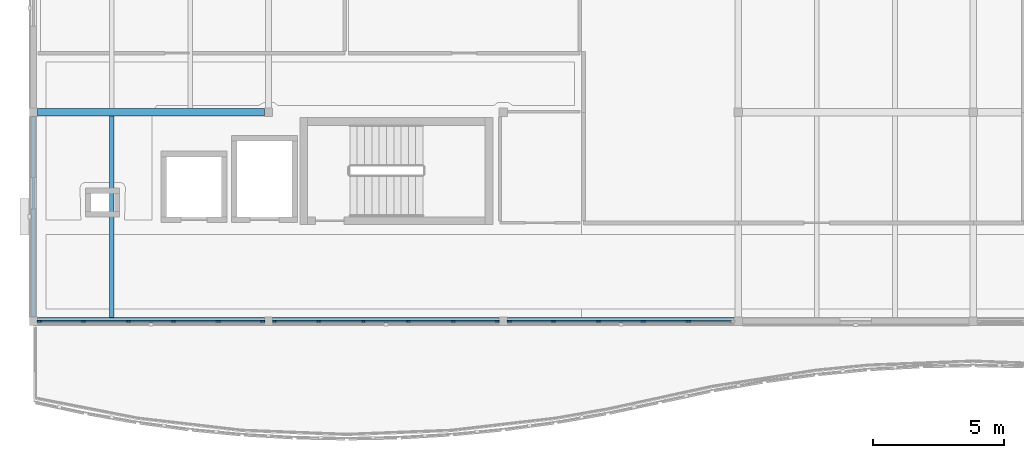
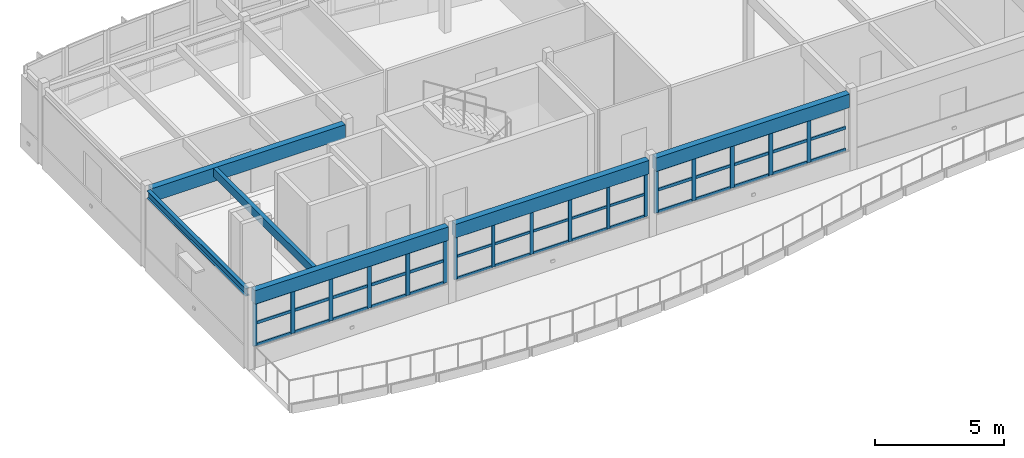
# One storey, part 2 of 33: 61 members, 6 beams, 3 elements without a shape of their own.
"""IFC4 building model written with IfcOpenShell, lengths in metres."""

import ifcopenshell
import ifcopenshell.guid

model = None  # the IFC model being written
_history = None  # IfcOwnerHistory: only IFC2X3 demands one
_inside = {}  # id of a spatial element -> (the spatial element, [elements in it])
_under = {}  # id of a project, library or spatial element -> (it, [spatial elements below it])
_declared = {}  # id of a project -> (the project, [libraries it declares])
_typed = {}  # id of a type object -> (the type object, [elements of that type])
_made_of = {}  # id of a material, layer set ... -> (it, [elements and type objects made of it])


def new_model(schema):
    """Start an empty IFC model of exactly this schema.

    Asked for "IFC4X3", IfcOpenShell would pick the latest addendum, in which some entities
    have other attributes; the version numbers below select the first issue.
    IFC2X3 requires an IfcOwnerHistory on every rooted entity: one is made here for all.
    """
    global model, _history
    if schema == "IFC4X3":
        model = ifcopenshell.file(schema_version=(4, 3, 0, 0))
    else:
        model = ifcopenshell.file(schema=schema)
    _inside.clear()
    _under.clear()
    _declared.clear()
    _typed.clear()
    _made_of.clear()
    _history = None
    if model.schema == "IFC2X3":
        org = make("IfcOrganization", Name="unknown")
        user = make(
            "IfcPersonAndOrganization",
            ThePerson=make("IfcPerson", FamilyName="unknown"),
            TheOrganization=org,
        )
        app = make(
            "IfcApplication",
            ApplicationDeveloper=org,
            Version="unknown",
            ApplicationFullName="unknown",
            ApplicationIdentifier="unknown",
        )
        _history = make(
            "IfcOwnerHistory",
            OwningUser=user,
            OwningApplication=app,
            ChangeAction="ADDED",
            CreationDate=0,
        )
    return model


def make(cls, **values):
    """One entity of the class cls with the attributes given. An attribute that is None is left unset."""
    return model.create_entity(
        cls, **{name: value for name, value in values.items() if value is not None}
    )


def rooted(cls, **values):
    """An entity with a GlobalId (a new one), such as an element, a storey or a relation."""
    return make(cls, GlobalId=ifcopenshell.guid.new(), OwnerHistory=_history, **values)


def si_unit(unit_type, name, prefix=None):
    """IfcSIUnit, for example si_unit("LENGTHUNIT", "METRE", prefix="MILLI")."""
    return make("IfcSIUnit", UnitType=unit_type, Prefix=prefix, Name=name)


def assignment(units):
    """IfcUnitAssignment: the units of a project."""
    return None if units is None else make("IfcUnitAssignment", Units=units)


def point(xyz):
    """IfcCartesianPoint."""
    return None if xyz is None else make("IfcCartesianPoint", Coordinates=xyz)


def direction(xyz):
    """IfcDirection."""
    return None if xyz is None else make("IfcDirection", DirectionRatios=xyz)


def frame(location, z_axis=None, x_axis=None):
    """IfcAxis2Placement3D, a coordinate frame: its origin and axes. An axis left out is left unset."""
    return make(
        "IfcAxis2Placement3D",
        Location=point(location),
        Axis=direction(z_axis),
        RefDirection=direction(x_axis),
    )


def frame_2d(location, x_axis=None):
    """IfcAxis2Placement2D, a coordinate frame in the plane: its origin and x axis."""
    return make(
        "IfcAxis2Placement2D", Location=point(location), RefDirection=direction(x_axis)
    )


def origin():
    """The frame at (0, 0, 0) with its axes left unset."""
    return frame((0.0, 0.0, 0.0))


def origin_2d():
    """The frame at (0, 0) in the plane with its x axis left unset."""
    return frame_2d((0.0, 0.0))


def place(relative_to, where):
    """IfcLocalPlacement: puts the frame where relative to a parent placement (None: the world)."""
    return make(
        "IfcLocalPlacement", PlacementRelTo=relative_to, RelativePlacement=where
    )


def context(
    kind, dimensions, precision=None, world=None, true_north=None, identifier=None
):
    """IfcGeometricRepresentationContext, for example the 3D "Model" context."""
    return make(
        "IfcGeometricRepresentationContext",
        ContextIdentifier=identifier,
        ContextType=kind,
        CoordinateSpaceDimension=dimensions,
        Precision=precision,
        WorldCoordinateSystem=world,
        TrueNorth=true_north,
    )


def subcontext(parent, identifier, kind, view, scale=None):
    """IfcGeometricRepresentationSubContext, for example "Body" below "Model"."""
    return make(
        "IfcGeometricRepresentationSubContext",
        ContextIdentifier=identifier,
        ContextType=kind,
        ParentContext=parent,
        TargetScale=scale,
        TargetView=view,
    )


def project(units=None, contexts=None):
    """IfcProject with its units and contexts."""
    return rooted(
        "IfcProject",
        Name="project",
        RepresentationContexts=contexts,
        UnitsInContext=assignment(units),
    )


def spatial(cls, under=None, at=None, **own):
    """A site, building, storey or space (cls), placed at a placement, below another one or the project."""
    s = rooted(cls, ObjectPlacement=at, **own)
    if under is not None:
        _under.setdefault(under.id(), (under, []))[1].append(s)
    return s


def profile(cls, at=None, kind="AREA", **sizes):
    """A parametric profile (cls). Its sizes go by their IFC names, for example OverallWidth=200.0."""
    return make(cls, ProfileType=kind, Position=at, **sizes)


def rectangle(**sizes):
    """IfcRectangleProfileDef."""
    return profile("IfcRectangleProfileDef", **sizes)


def i_section(**sizes):
    """IfcIShapeProfileDef."""
    return profile("IfcIShapeProfileDef", **sizes)


def extrude(swept, where, along, depth):
    """IfcExtrudedAreaSolid: the profile swept, set in the frame where, extruded along a direction by depth."""
    return make(
        "IfcExtrudedAreaSolid",
        SweptArea=swept,
        Position=where,
        ExtrudedDirection=direction(along),
        Depth=depth,
    )


def shape(context_of_items, identifier, shape_type, items):
    """IfcShapeRepresentation: the items that make up one representation, for example the "Body"."""
    return make(
        "IfcShapeRepresentation",
        ContextOfItems=context_of_items,
        RepresentationIdentifier=identifier,
        RepresentationType=shape_type,
        Items=items,
    )


def material(Name=None, Category=None):
    """IfcMaterial."""
    return make("IfcMaterial", Name=Name, Category=Category)


def layer(
    of_material, thickness, ventilated=None, Name=None, Category=None, Priority=None
):
    """IfcMaterialLayer: one layer of a wall or slab, of a material (None: an air gap)."""
    return make(
        "IfcMaterialLayer",
        Material=of_material,
        LayerThickness=thickness,
        IsVentilated=ventilated,
        Name=Name,
        Category=Category,
        Priority=Priority,
    )


def layer_set(layers, Name=None):
    """IfcMaterialLayerSet."""
    return make("IfcMaterialLayerSet", MaterialLayers=layers, LayerSetName=Name)


def material_profile(
    of_material, cross_section, Name=None, Category=None, Priority=None
):
    """IfcMaterialProfile: a cross section and its material."""
    return make(
        "IfcMaterialProfile",
        Name=Name,
        Material=of_material,
        Profile=cross_section,
        Priority=Priority,
        Category=Category,
    )


def profile_set(profiles, Name=None, composite=None):
    """IfcMaterialProfileSet."""
    return make(
        "IfcMaterialProfileSet",
        Name=Name,
        MaterialProfiles=profiles,
        CompositeProfile=composite,
    )


def made_of(thing, what):
    """Note that an element or type object is made of a material, layer set ...; save() writes the relation."""
    if what is not None:
        _made_of.setdefault(what.id(), (what, []))[1].append(thing)
    return thing


def type_object(cls, material=None, **own):
    """A type object (cls), such as IfcWallType, which elements share."""
    return made_of(rooted(cls, **own), material)


def element(
    cls,
    number,
    at=None,
    inside=None,
    cuts=None,
    type_object=None,
    material=None,
    context=None,
    identifier="Body",
    shape_type=None,
    held_by="IfcProductDefinitionShape",
    body=None,
    shapes=None,
    **own,
):
    """One element of the class cls, such as IfcWall. Its Tag is "e" and its number.

    at: its placement. inside: the storey or other place that contains it. cuts: it is an
    opening in that element (IfcRelVoidsElement). A single representation is given by context,
    identifier, shape_type and body (its items); several are given by shapes. held_by: the class
    of the entity that holds the representations. save() writes the other relations.
    """
    e = rooted(cls, Tag="e%d" % number, ObjectPlacement=at, **own)
    if body is not None:
        shapes = [shape(context, identifier, shape_type, body)]
    if shapes is not None:
        e.Representation = make(held_by, Representations=shapes)
    if inside is not None:
        _inside.setdefault(inside.id(), (inside, []))[1].append(e)
    if cuts is not None:
        rooted(
            "IfcRelVoidsElement", RelatingBuildingElement=cuts, RelatedOpeningElement=e
        )
    if type_object is not None:
        _typed.setdefault(type_object.id(), (type_object, []))[1].append(e)
    return made_of(e, material)


def aggregate(whole, parts):
    """IfcRelAggregates: a whole, such as a stair, and the parts it consists of."""
    return rooted("IfcRelAggregates", RelatingObject=whole, RelatedObjects=parts)


def save(model, path):
    """Write the relations noted so far, then the file.

    IfcRelAggregates (storeys below a building ...), IfcRelContainedInSpatialStructure (elements
    in a storey), IfcRelDefinesByType, IfcRelAssociatesMaterial and IfcRelDeclares: one each for
    every whole, place, type object, material and project.
    """
    for whole, parts in _under.values():
        aggregate(whole, parts)
    for where, things in _inside.values():
        rooted(
            "IfcRelContainedInSpatialStructure",
            RelatedElements=things,
            RelatingStructure=where,
        )
    for kind, things in _typed.values():
        rooted("IfcRelDefinesByType", RelatedObjects=things, RelatingType=kind)
    for what, things in _made_of.values():
        rooted("IfcRelAssociatesMaterial", RelatedObjects=things, RelatingMaterial=what)
    for by, libraries in _declared.values():
        rooted("IfcRelDeclares", RelatingContext=by, RelatedDefinitions=libraries)
    model.write(path)


model = new_model("IFC4")

# Units and contexts
model_context = context("Model", 3, precision=1e-05, world=origin(), true_north=direction((0.0, 1.0)))
body_context = subcontext(model_context, "Body", "Model", "MODEL_VIEW")
ifc_project = project(units=[si_unit("LENGTHUNIT", "METRE"), si_unit("AREAUNIT", "SQUARE_METRE"), si_unit("VOLUMEUNIT", "CUBIC_METRE"), si_unit("PLANEANGLEUNIT", "RADIAN"), si_unit("MASSUNIT", "GRAM", prefix="KILO")], contexts=[model_context])

# Site, building, storey
site_placement = place(None, origin())
site = spatial("IfcSite", under=ifc_project, at=site_placement, CompositionType="ELEMENT")
building_placement = place(site_placement, origin())
building = spatial("IfcBuilding", under=site, at=building_placement, Name="Tonlespit Floodbar School", CompositionType="ELEMENT")
storey_placement = place(building_placement, frame((0.0, 0.0, 16.199951171875)))
storey = spatial("IfcBuildingStorey", under=building, at=storey_placement, Name="L04", CompositionType="ELEMENT", Elevation=16.199951171875)

# Beams
ifc_material_1 = material(Name="Glulam GL28h", Category="wood")
ifc_material_profile_1 = material_profile(ifc_material_1, rectangle(XDim=0.280029296875, YDim=0.639892578125, at=origin_2d()), Name="GL 280x640")
ifc_profile_set_1 = profile_set([ifc_material_profile_1], Name="Glulam GL28h")
beam_type_1 = type_object("IfcBeamType", Name="Beam_GL_280x640", PredefinedType="BEAM", material=ifc_profile_set_1)
for number, where, z_axis, x_axis, name in (
    (1, (44.159912109375, 104.0, 3.330078125), (1.0, 0.0, 0.0), (0.0, 1.0, 0.0), "L04 girder 1279"),
    (2, (53.159912109375, 104.0, 3.330078125), (1.0, 0.0, 0.0), (0.0, 1.0, 0.0), "L04 girder 1280"),
    (3, (62.159912109375, 104.0, 3.328125), (1.0, 0.0, 0.0), (0.0, 1.0, 0.0), "L04 girder 1281"),
    (4, (44.159912109375, 112.0, 3.330078125), (1.0, 0.0, 0.0), (0.0, 1.0, 0.0), "L04 girder 1291"),
):
    element("IfcBeam", number, at=place(storey_placement, frame(where, z_axis=z_axis, x_axis=x_axis)), inside=storey, type_object=beam_type_1, Name=name, PredefinedType="BEAM", context=body_context, shape_type="SweptSolid", body=[
        extrude(rectangle(XDim=0.280029296875, YDim=0.639892578125, at=origin_2d()), origin(), (0.0, 0.0, 1.0), 8.68017578125),
    ])

# Curtain wall, members
ifc_material_2 = material(Name="Anodised Aluminium", Category="aluminium")
ifc_layer = layer(ifc_material_2, 0.159912109375)
ifc_layer_set = layer_set([ifc_layer], Name="Anodised Aluminium")
curtain_wall_type = type_object("IfcCurtainWallType", Name="CurtainWall_8600x2050", PredefinedType="NOTDEFINED", material=ifc_layer_set)
curtain_wall_1_placement = place(storey_placement, origin())
curtain_wall_1 = element("IfcCurtainWall", 5, at=curtain_wall_1_placement, inside=storey, type_object=curtain_wall_type, Name="L04 unitised curtain wall 0206", PredefinedType="NOTDEFINED")
ifc_material_profile_2 = material_profile(ifc_material_2, rectangle(XDim=0.06494140625, YDim=0.14990234375, at=origin_2d()), Name="ALU M65x150")
ifc_profile_set_2 = profile_set([ifc_material_profile_2], Name="Anodised Aluminium")
member_type_1 = type_object("IfcMemberType", Name="CW_Mullion_65x150", PredefinedType="MULLION", material=ifc_profile_set_2)
member_1_placement = place(storey_placement, frame((61.767578125, 104.0, 0.949951171875), z_axis=(0.0, 0.0, 1.0), x_axis=(0.0, -1.0, 0.0)))
member_1 = element("IfcMember", 6, at=member_1_placement, type_object=member_type_1, Name="CW-08 mullion 1", PredefinedType="MULLION", context=body_context, shape_type="SweptSolid", body=[
    extrude(rectangle(XDim=0.06494140625, YDim=0.14990234375, at=origin_2d()), origin(), (0.0, 0.0, 1.0), 2.06005859375),
])
member_2_placement = place(storey_placement, frame((60.080078125, 104.0, 0.949951171875), z_axis=(0.0, 0.0, 1.0), x_axis=(0.0, -1.0, 0.0)))
member_2 = element("IfcMember", 7, at=member_2_placement, type_object=member_type_1, Name="CW-08 mullion 2", PredefinedType="MULLION", context=body_context, shape_type="SweptSolid", body=[
    extrude(rectangle(XDim=0.06494140625, YDim=0.14990234375, at=origin_2d()), origin(), (0.0, 0.0, 1.0), 2.06005859375),
])
member_3_placement = place(storey_placement, frame((58.360107421875, 104.0, 0.949951171875), z_axis=(0.0, 0.0, 1.0), x_axis=(0.0, -1.0, 0.0)))
member_3 = element("IfcMember", 8, at=member_3_placement, type_object=member_type_1, Name="CW-08 mullion 3", PredefinedType="MULLION", context=body_context, shape_type="SweptSolid", body=[
    extrude(rectangle(XDim=0.06494140625, YDim=0.14990234375, at=origin_2d()), origin(), (0.0, 0.0, 1.0), 2.06005859375),
])
member_4_placement = place(storey_placement, frame((56.639892578125, 104.0, 0.949951171875), z_axis=(0.0, 0.0, 1.0), x_axis=(0.0, -1.0, 0.0)))
member_4 = element("IfcMember", 9, at=member_4_placement, type_object=member_type_1, Name="CW-08 mullion 4", PredefinedType="MULLION", context=body_context, shape_type="SweptSolid", body=[
    extrude(rectangle(XDim=0.06494140625, YDim=0.14990234375, at=origin_2d()), origin(), (0.0, 0.0, 1.0), 2.06005859375),
])
member_5_placement = place(storey_placement, frame((54.919921875, 104.0, 0.949951171875), z_axis=(0.0, 0.0, 1.0), x_axis=(0.0, -1.0, 0.0)))
member_5 = element("IfcMember", 10, at=member_5_placement, type_object=member_type_1, Name="CW-08 mullion 5", PredefinedType="MULLION", context=body_context, shape_type="SweptSolid", body=[
    extrude(rectangle(XDim=0.06494140625, YDim=0.14990234375, at=origin_2d()), origin(), (0.0, 0.0, 1.0), 2.06005859375),
])
member_6_placement = place(storey_placement, frame((53.232421875, 104.0, 0.949951171875), z_axis=(0.0, 0.0, 1.0), x_axis=(0.0, -1.0, 0.0)))
member_6 = element("IfcMember", 11, at=member_6_placement, type_object=member_type_1, Name="CW-08 mullion 6", PredefinedType="MULLION", context=body_context, shape_type="SweptSolid", body=[
    extrude(rectangle(XDim=0.06494140625, YDim=0.14990234375, at=origin_2d()), origin(), (0.0, 0.0, 1.0), 2.06005859375),
])

curtain_wall_2_placement = place(storey_placement, origin())
curtain_wall_2 = element("IfcCurtainWall", 12, at=curtain_wall_2_placement, inside=storey, type_object=curtain_wall_type, Name="L04 unitised curtain wall 0205", PredefinedType="NOTDEFINED")
ifc_material_profile_3 = material_profile(ifc_material_2, rectangle(XDim=0.06494140625, YDim=0.179931640625, at=origin_2d()), Name="ALU M65x180")
ifc_profile_set_3 = profile_set([ifc_material_profile_3], Name="Anodised Aluminium")
member_type_2 = type_object("IfcMemberType", Name="CW_Mullion_65x180", PredefinedType="MULLION", material=ifc_profile_set_3)
member_7_placement = place(storey_placement, frame((69.080078125, 104.0, 0.949951171875), z_axis=(0.0, 0.0, 1.0), x_axis=(0.0, -1.0, 0.0)))
member_7 = element("IfcMember", 13, at=member_7_placement, type_object=member_type_2, Name="CW-08 mullion 2", PredefinedType="MULLION", context=body_context, shape_type="SweptSolid", body=[
    extrude(rectangle(XDim=0.06494140625, YDim=0.179931640625, at=origin_2d()), origin(), (0.0, 0.0, 1.0), 2.05810546875),
])
member_8_placement = place(storey_placement, frame((67.360107421875, 104.0, 0.949951171875), z_axis=(0.0, 0.0, 1.0), x_axis=(0.0, -1.0, 0.0)))
member_8 = element("IfcMember", 14, at=member_8_placement, type_object=member_type_2, Name="CW-08 mullion 3", PredefinedType="MULLION", context=body_context, shape_type="SweptSolid", body=[
    extrude(rectangle(XDim=0.06494140625, YDim=0.179931640625, at=origin_2d()), origin(), (0.0, 0.0, 1.0), 2.05810546875),
])
member_9_placement = place(storey_placement, frame((65.639892578125, 104.0, 0.949951171875), z_axis=(0.0, 0.0, 1.0), x_axis=(0.0, -1.0, 0.0)))
member_9 = element("IfcMember", 15, at=member_9_placement, type_object=member_type_2, Name="CW-08 mullion 4", PredefinedType="MULLION", context=body_context, shape_type="SweptSolid", body=[
    extrude(rectangle(XDim=0.06494140625, YDim=0.179931640625, at=origin_2d()), origin(), (0.0, 0.0, 1.0), 2.05810546875),
])
member_10_placement = place(storey_placement, frame((63.919921875, 104.0, 0.949951171875), z_axis=(0.0, 0.0, 1.0), x_axis=(0.0, -1.0, 0.0)))
member_10 = element("IfcMember", 16, at=member_10_placement, type_object=member_type_2, Name="CW-08 mullion 5", PredefinedType="MULLION", context=body_context, shape_type="SweptSolid", body=[
    extrude(rectangle(XDim=0.06494140625, YDim=0.179931640625, at=origin_2d()), origin(), (0.0, 0.0, 1.0), 2.05810546875),
])
member_11_placement = place(storey_placement, frame((62.232421875, 104.0, 0.949951171875), z_axis=(0.0, 0.0, 1.0), x_axis=(0.0, -1.0, 0.0)))
member_11 = element("IfcMember", 17, at=member_11_placement, type_object=member_type_2, Name="CW-08 mullion 6", PredefinedType="MULLION", context=body_context, shape_type="SweptSolid", body=[
    extrude(rectangle(XDim=0.06494140625, YDim=0.179931640625, at=origin_2d()), origin(), (0.0, 0.0, 1.0), 2.05810546875),
])

curtain_wall_3_placement = place(storey_placement, origin())
curtain_wall_3 = element("IfcCurtainWall", 18, at=curtain_wall_3_placement, inside=storey, type_object=curtain_wall_type, Name="L04 unitised curtain wall 0207", PredefinedType="NOTDEFINED")
member_12_placement = place(storey_placement, frame((52.767578125, 104.0, 0.949951171875), z_axis=(0.0, 0.0, 1.0), x_axis=(0.0, -1.0, 0.0)))
member_12 = element("IfcMember", 19, at=member_12_placement, type_object=member_type_2, Name="CW-08 mullion 1", PredefinedType="MULLION", context=body_context, shape_type="SweptSolid", body=[
    extrude(rectangle(XDim=0.06494140625, YDim=0.179931640625, at=origin_2d()), origin(), (0.0, 0.0, 1.0), 2.06005859375),
])
member_13_placement = place(storey_placement, frame((51.080078125, 104.0, 0.949951171875), z_axis=(0.0, 0.0, 1.0), x_axis=(0.0, -1.0, 0.0)))
member_13 = element("IfcMember", 20, at=member_13_placement, type_object=member_type_2, Name="CW-08 mullion 2", PredefinedType="MULLION", context=body_context, shape_type="SweptSolid", body=[
    extrude(rectangle(XDim=0.06494140625, YDim=0.179931640625, at=origin_2d()), origin(), (0.0, 0.0, 1.0), 2.06005859375),
])
member_14_placement = place(storey_placement, frame((49.360107421875, 104.0, 0.949951171875), z_axis=(0.0, 0.0, 1.0), x_axis=(0.0, -1.0, 0.0)))
member_14 = element("IfcMember", 21, at=member_14_placement, type_object=member_type_2, Name="CW-08 mullion 3", PredefinedType="MULLION", context=body_context, shape_type="SweptSolid", body=[
    extrude(rectangle(XDim=0.06494140625, YDim=0.179931640625, at=origin_2d()), origin(), (0.0, 0.0, 1.0), 2.06005859375),
])
member_15_placement = place(storey_placement, frame((47.639892578125, 104.0, 0.949951171875), z_axis=(0.0, 0.0, 1.0), x_axis=(0.0, -1.0, 0.0)))
member_15 = element("IfcMember", 22, at=member_15_placement, type_object=member_type_2, Name="CW-08 mullion 4", PredefinedType="MULLION", context=body_context, shape_type="SweptSolid", body=[
    extrude(rectangle(XDim=0.06494140625, YDim=0.179931640625, at=origin_2d()), origin(), (0.0, 0.0, 1.0), 2.06005859375),
])
member_16_placement = place(storey_placement, frame((45.919921875, 104.0, 0.949951171875), z_axis=(0.0, 0.0, 1.0), x_axis=(0.0, -1.0, 0.0)))
member_16 = element("IfcMember", 23, at=member_16_placement, type_object=member_type_2, Name="CW-08 mullion 5", PredefinedType="MULLION", context=body_context, shape_type="SweptSolid", body=[
    extrude(rectangle(XDim=0.06494140625, YDim=0.179931640625, at=origin_2d()), origin(), (0.0, 0.0, 1.0), 2.06005859375),
])
member_17_placement = place(storey_placement, frame((44.232421875, 104.0, 0.949951171875), z_axis=(0.0, 0.0, 1.0), x_axis=(0.0, -1.0, 0.0)))
member_17 = element("IfcMember", 24, at=member_17_placement, type_object=member_type_2, Name="CW-08 mullion 6", PredefinedType="MULLION", context=body_context, shape_type="SweptSolid", body=[
    extrude(rectangle(XDim=0.06494140625, YDim=0.179931640625, at=origin_2d()), origin(), (0.0, 0.0, 1.0), 2.06005859375),
])

# Member
ifc_material_profile_4 = material_profile(ifc_material_2, rectangle(XDim=0.06494140625, YDim=0.1201171875, at=origin_2d()), Name="ALU T65x120")
ifc_profile_set_4 = profile_set([ifc_material_profile_4], Name="Anodised Aluminium")
member_type_3 = type_object("IfcMemberType", Name="CW_Transom_65x120", PredefinedType="USERDEFINED", material=ifc_profile_set_4)
member_18_placement = place(storey_placement, frame((61.735107421875, 104.0, 0.982666015625), z_axis=(-1.0, 0.0, 0.0), x_axis=(0.0, -1.0, 0.0)))
member_18 = element("IfcMember", 25, at=member_18_placement, type_object=member_type_3, Name="CW-08 transom 1.1", ObjectType="TRANSOM", PredefinedType="USERDEFINED", context=body_context, shape_type="SweptSolid", body=[
    extrude(rectangle(XDim=0.06494140625, YDim=0.1201171875, at=origin_2d()), origin(), (0.0, 0.0, 1.0), 1.62255859375),
])

member_19_placement = place(storey_placement, frame((61.735107421875, 104.0, 2.021240234375), z_axis=(-1.0, 0.0, 0.0), x_axis=(0.0, -1.0, 0.0)))
member_19 = element("IfcMember", 26, at=member_19_placement, type_object=member_type_3, Name="CW-08 transom 1.2", ObjectType="TRANSOM", PredefinedType="USERDEFINED", context=body_context, shape_type="SweptSolid", body=[
    extrude(rectangle(XDim=0.06494140625, YDim=0.1201171875, at=origin_2d()), origin(), (0.0, 0.0, 1.0), 1.62255859375),
])

member_20_placement = place(storey_placement, frame((61.735107421875, 104.0, 2.9775390625), z_axis=(-1.0, 0.0, 0.0), x_axis=(0.0, -1.0, 0.0)))
member_20 = element("IfcMember", 27, at=member_20_placement, type_object=member_type_3, Name="CW-08 transom 1.3", ObjectType="TRANSOM", PredefinedType="USERDEFINED", context=body_context, shape_type="SweptSolid", body=[
    extrude(rectangle(XDim=0.06494140625, YDim=0.1201171875, at=origin_2d()), origin(), (0.0, 0.0, 1.0), 1.62255859375),
])

member_21_placement = place(storey_placement, frame((60.047607421875, 104.0, 0.982666015625), z_axis=(-1.0, 0.0, 0.0), x_axis=(0.0, -1.0, 0.0)))
member_21 = element("IfcMember", 28, at=member_21_placement, type_object=member_type_3, Name="CW-08 transom 2.1", ObjectType="TRANSOM", PredefinedType="USERDEFINED", context=body_context, shape_type="SweptSolid", body=[
    extrude(rectangle(XDim=0.06494140625, YDim=0.1201171875, at=origin_2d()), origin(), (0.0, 0.0, 1.0), 1.655029296875),
])

member_22_placement = place(storey_placement, frame((60.047607421875, 104.0, 2.021240234375), z_axis=(-1.0, 0.0, 0.0), x_axis=(0.0, -1.0, 0.0)))
member_22 = element("IfcMember", 29, at=member_22_placement, type_object=member_type_3, Name="CW-08 transom 2.2", ObjectType="TRANSOM", PredefinedType="USERDEFINED", context=body_context, shape_type="SweptSolid", body=[
    extrude(rectangle(XDim=0.06494140625, YDim=0.1201171875, at=origin_2d()), origin(), (0.0, 0.0, 1.0), 1.655029296875),
])

member_23_placement = place(storey_placement, frame((60.047607421875, 104.0, 2.9775390625), z_axis=(-1.0, 0.0, 0.0), x_axis=(0.0, -1.0, 0.0)))
member_23 = element("IfcMember", 30, at=member_23_placement, type_object=member_type_3, Name="CW-08 transom 2.3", ObjectType="TRANSOM", PredefinedType="USERDEFINED", context=body_context, shape_type="SweptSolid", body=[
    extrude(rectangle(XDim=0.06494140625, YDim=0.1201171875, at=origin_2d()), origin(), (0.0, 0.0, 1.0), 1.655029296875),
])

member_24_placement = place(storey_placement, frame((58.327392578125, 104.0, 0.982666015625), z_axis=(-1.0, 0.0, 0.0), x_axis=(0.0, -1.0, 0.0)))
member_24 = element("IfcMember", 31, at=member_24_placement, type_object=member_type_3, Name="CW-08 transom 3.1", ObjectType="TRANSOM", PredefinedType="USERDEFINED", context=body_context, shape_type="SweptSolid", body=[
    extrude(rectangle(XDim=0.06494140625, YDim=0.1201171875, at=origin_2d()), origin(), (0.0, 0.0, 1.0), 1.65478515625),
])

member_25_placement = place(storey_placement, frame((58.327392578125, 104.0, 2.021240234375), z_axis=(-1.0, 0.0, 0.0), x_axis=(0.0, -1.0, 0.0)))
member_25 = element("IfcMember", 32, at=member_25_placement, type_object=member_type_3, Name="CW-08 transom 3.2", ObjectType="TRANSOM", PredefinedType="USERDEFINED", context=body_context, shape_type="SweptSolid", body=[
    extrude(rectangle(XDim=0.06494140625, YDim=0.1201171875, at=origin_2d()), origin(), (0.0, 0.0, 1.0), 1.65478515625),
])

member_26_placement = place(storey_placement, frame((58.327392578125, 104.0, 2.9775390625), z_axis=(-1.0, 0.0, 0.0), x_axis=(0.0, -1.0, 0.0)))
member_26 = element("IfcMember", 33, at=member_26_placement, type_object=member_type_3, Name="CW-08 transom 3.3", ObjectType="TRANSOM", PredefinedType="USERDEFINED", context=body_context, shape_type="SweptSolid", body=[
    extrude(rectangle(XDim=0.06494140625, YDim=0.1201171875, at=origin_2d()), origin(), (0.0, 0.0, 1.0), 1.65478515625),
])

member_27_placement = place(storey_placement, frame((56.607421875, 104.0, 0.982666015625), z_axis=(-1.0, 0.0, 0.0), x_axis=(0.0, -1.0, 0.0)))
member_27 = element("IfcMember", 34, at=member_27_placement, type_object=member_type_3, Name="CW-08 transom 4.1", ObjectType="TRANSOM", PredefinedType="USERDEFINED", context=body_context, shape_type="SweptSolid", body=[
    extrude(rectangle(XDim=0.06494140625, YDim=0.1201171875, at=origin_2d()), origin(), (0.0, 0.0, 1.0), 1.655029296875),
])

member_28_placement = place(storey_placement, frame((56.607421875, 104.0, 2.021240234375), z_axis=(-1.0, 0.0, 0.0), x_axis=(0.0, -1.0, 0.0)))
member_28 = element("IfcMember", 35, at=member_28_placement, type_object=member_type_3, Name="CW-08 transom 4.2", ObjectType="TRANSOM", PredefinedType="USERDEFINED", context=body_context, shape_type="SweptSolid", body=[
    extrude(rectangle(XDim=0.06494140625, YDim=0.1201171875, at=origin_2d()), origin(), (0.0, 0.0, 1.0), 1.655029296875),
])

member_29_placement = place(storey_placement, frame((56.607421875, 104.0, 2.9775390625), z_axis=(-1.0, 0.0, 0.0), x_axis=(0.0, -1.0, 0.0)))
member_29 = element("IfcMember", 36, at=member_29_placement, type_object=member_type_3, Name="CW-08 transom 4.3", ObjectType="TRANSOM", PredefinedType="USERDEFINED", context=body_context, shape_type="SweptSolid", body=[
    extrude(rectangle(XDim=0.06494140625, YDim=0.1201171875, at=origin_2d()), origin(), (0.0, 0.0, 1.0), 1.655029296875),
])

member_30_placement = place(storey_placement, frame((54.887451171875, 104.0, 0.982666015625), z_axis=(-1.0, 0.0, 0.0), x_axis=(0.0, -1.0, 0.0)))
member_30 = element("IfcMember", 37, at=member_30_placement, type_object=member_type_3, Name="CW-08 transom 5.1", ObjectType="TRANSOM", PredefinedType="USERDEFINED", context=body_context, shape_type="SweptSolid", body=[
    extrude(rectangle(XDim=0.06494140625, YDim=0.1201171875, at=origin_2d()), origin(), (0.0, 0.0, 1.0), 1.62255859375),
])

member_31_placement = place(storey_placement, frame((54.887451171875, 104.0, 2.021240234375), z_axis=(-1.0, 0.0, 0.0), x_axis=(0.0, -1.0, 0.0)))
member_31 = element("IfcMember", 38, at=member_31_placement, type_object=member_type_3, Name="CW-08 transom 5.2", ObjectType="TRANSOM", PredefinedType="USERDEFINED", context=body_context, shape_type="SweptSolid", body=[
    extrude(rectangle(XDim=0.06494140625, YDim=0.1201171875, at=origin_2d()), origin(), (0.0, 0.0, 1.0), 1.62255859375),
])

member_32_placement = place(storey_placement, frame((54.887451171875, 104.0, 2.9775390625), z_axis=(-1.0, 0.0, 0.0), x_axis=(0.0, -1.0, 0.0)))
member_32 = element("IfcMember", 39, at=member_32_placement, type_object=member_type_3, Name="CW-08 transom 5.3", ObjectType="TRANSOM", PredefinedType="USERDEFINED", context=body_context, shape_type="SweptSolid", body=[
    extrude(rectangle(XDim=0.06494140625, YDim=0.1201171875, at=origin_2d()), origin(), (0.0, 0.0, 1.0), 1.62255859375),
])

aggregate(curtain_wall_1, [member_1, member_2, member_3, member_4, member_5, member_6, member_18, member_19, member_20, member_21, member_22, member_23, member_24, member_25, member_26, member_27, member_28, member_29, member_30, member_31, member_32])

ifc_material_profile_5 = material_profile(ifc_material_2, rectangle(XDim=0.06494140625, YDim=0.139892578125, at=origin_2d()), Name="ALU T65x140")
ifc_profile_set_5 = profile_set([ifc_material_profile_5], Name="Anodised Aluminium")
member_type_4 = type_object("IfcMemberType", Name="CW_Transom_65x140", PredefinedType="USERDEFINED", material=ifc_profile_set_5)
member_33_placement = place(storey_placement, frame((70.735107421875, 104.0, 0.982666015625), z_axis=(-1.0, 0.0, 0.0), x_axis=(0.0, -1.0, 0.0)))
member_33 = element("IfcMember", 40, at=member_33_placement, type_object=member_type_4, Name="CW-08 transom 1.1", ObjectType="TRANSOM", PredefinedType="USERDEFINED", context=body_context, shape_type="SweptSolid", body=[
    extrude(rectangle(XDim=0.06494140625, YDim=0.139892578125, at=origin_2d()), origin(), (0.0, 0.0, 1.0), 1.62255859375),
])

member_34_placement = place(storey_placement, frame((70.735107421875, 104.0, 2.020263671875), z_axis=(-1.0, 0.0, 0.0), x_axis=(0.0, -1.0, 0.0)))
member_34 = element("IfcMember", 41, at=member_34_placement, type_object=member_type_4, Name="CW-08 transom 1.2", ObjectType="TRANSOM", PredefinedType="USERDEFINED", context=body_context, shape_type="SweptSolid", body=[
    extrude(rectangle(XDim=0.06494140625, YDim=0.139892578125, at=origin_2d()), origin(), (0.0, 0.0, 1.0), 1.62255859375),
])

member_35_placement = place(storey_placement, frame((69.047607421875, 104.0, 0.982666015625), z_axis=(-1.0, 0.0, 0.0), x_axis=(0.0, -1.0, 0.0)))
member_35 = element("IfcMember", 42, at=member_35_placement, type_object=member_type_4, Name="CW-08 transom 2.1", ObjectType="TRANSOM", PredefinedType="USERDEFINED", context=body_context, shape_type="SweptSolid", body=[
    extrude(rectangle(XDim=0.06494140625, YDim=0.139892578125, at=origin_2d()), origin(), (0.0, 0.0, 1.0), 1.655029296875),
])

member_36_placement = place(storey_placement, frame((69.047607421875, 104.0, 2.020263671875), z_axis=(-1.0, 0.0, 0.0), x_axis=(0.0, -1.0, 0.0)))
member_36 = element("IfcMember", 43, at=member_36_placement, type_object=member_type_4, Name="CW-08 transom 2.2", ObjectType="TRANSOM", PredefinedType="USERDEFINED", context=body_context, shape_type="SweptSolid", body=[
    extrude(rectangle(XDim=0.06494140625, YDim=0.139892578125, at=origin_2d()), origin(), (0.0, 0.0, 1.0), 1.655029296875),
])

member_37_placement = place(storey_placement, frame((69.047607421875, 104.0, 2.9755859375), z_axis=(-1.0, 0.0, 0.0), x_axis=(0.0, -1.0, 0.0)))
member_37 = element("IfcMember", 44, at=member_37_placement, type_object=member_type_4, Name="CW-08 transom 2.3", ObjectType="TRANSOM", PredefinedType="USERDEFINED", context=body_context, shape_type="SweptSolid", body=[
    extrude(rectangle(XDim=0.06494140625, YDim=0.139892578125, at=origin_2d()), origin(), (0.0, 0.0, 1.0), 1.655029296875),
])

member_38_placement = place(storey_placement, frame((67.327392578125, 104.0, 0.982666015625), z_axis=(-1.0, 0.0, 0.0), x_axis=(0.0, -1.0, 0.0)))
member_38 = element("IfcMember", 45, at=member_38_placement, type_object=member_type_4, Name="CW-08 transom 3.1", ObjectType="TRANSOM", PredefinedType="USERDEFINED", context=body_context, shape_type="SweptSolid", body=[
    extrude(rectangle(XDim=0.06494140625, YDim=0.139892578125, at=origin_2d()), origin(), (0.0, 0.0, 1.0), 1.65478515625),
])

member_39_placement = place(storey_placement, frame((67.327392578125, 104.0, 2.020263671875), z_axis=(-1.0, 0.0, 0.0), x_axis=(0.0, -1.0, 0.0)))
member_39 = element("IfcMember", 46, at=member_39_placement, type_object=member_type_4, Name="CW-08 transom 3.2", ObjectType="TRANSOM", PredefinedType="USERDEFINED", context=body_context, shape_type="SweptSolid", body=[
    extrude(rectangle(XDim=0.06494140625, YDim=0.139892578125, at=origin_2d()), origin(), (0.0, 0.0, 1.0), 1.65478515625),
])

member_40_placement = place(storey_placement, frame((67.327392578125, 104.0, 2.9755859375), z_axis=(-1.0, 0.0, 0.0), x_axis=(0.0, -1.0, 0.0)))
member_40 = element("IfcMember", 47, at=member_40_placement, type_object=member_type_4, Name="CW-08 transom 3.3", ObjectType="TRANSOM", PredefinedType="USERDEFINED", context=body_context, shape_type="SweptSolid", body=[
    extrude(rectangle(XDim=0.06494140625, YDim=0.139892578125, at=origin_2d()), origin(), (0.0, 0.0, 1.0), 1.65478515625),
])

member_41_placement = place(storey_placement, frame((65.607421875, 104.0, 0.982666015625), z_axis=(-1.0, 0.0, 0.0), x_axis=(0.0, -1.0, 0.0)))
member_41 = element("IfcMember", 48, at=member_41_placement, type_object=member_type_4, Name="CW-08 transom 4.1", ObjectType="TRANSOM", PredefinedType="USERDEFINED", context=body_context, shape_type="SweptSolid", body=[
    extrude(rectangle(XDim=0.06494140625, YDim=0.139892578125, at=origin_2d()), origin(), (0.0, 0.0, 1.0), 1.655029296875),
])

member_42_placement = place(storey_placement, frame((65.607421875, 104.0, 2.020263671875), z_axis=(-1.0, 0.0, 0.0), x_axis=(0.0, -1.0, 0.0)))
member_42 = element("IfcMember", 49, at=member_42_placement, type_object=member_type_4, Name="CW-08 transom 4.2", ObjectType="TRANSOM", PredefinedType="USERDEFINED", context=body_context, shape_type="SweptSolid", body=[
    extrude(rectangle(XDim=0.06494140625, YDim=0.139892578125, at=origin_2d()), origin(), (0.0, 0.0, 1.0), 1.655029296875),
])

member_43_placement = place(storey_placement, frame((65.607421875, 104.0, 2.9755859375), z_axis=(-1.0, 0.0, 0.0), x_axis=(0.0, -1.0, 0.0)))
member_43 = element("IfcMember", 50, at=member_43_placement, type_object=member_type_4, Name="CW-08 transom 4.3", ObjectType="TRANSOM", PredefinedType="USERDEFINED", context=body_context, shape_type="SweptSolid", body=[
    extrude(rectangle(XDim=0.06494140625, YDim=0.139892578125, at=origin_2d()), origin(), (0.0, 0.0, 1.0), 1.655029296875),
])

member_44_placement = place(storey_placement, frame((63.887451171875, 104.0, 0.982666015625), z_axis=(-1.0, 0.0, 0.0), x_axis=(0.0, -1.0, 0.0)))
member_44 = element("IfcMember", 51, at=member_44_placement, type_object=member_type_4, Name="CW-08 transom 5.1", ObjectType="TRANSOM", PredefinedType="USERDEFINED", context=body_context, shape_type="SweptSolid", body=[
    extrude(rectangle(XDim=0.06494140625, YDim=0.139892578125, at=origin_2d()), origin(), (0.0, 0.0, 1.0), 1.62255859375),
])

member_45_placement = place(storey_placement, frame((63.887451171875, 104.0, 2.020263671875), z_axis=(-1.0, 0.0, 0.0), x_axis=(0.0, -1.0, 0.0)))
member_45 = element("IfcMember", 52, at=member_45_placement, type_object=member_type_4, Name="CW-08 transom 5.2", ObjectType="TRANSOM", PredefinedType="USERDEFINED", context=body_context, shape_type="SweptSolid", body=[
    extrude(rectangle(XDim=0.06494140625, YDim=0.139892578125, at=origin_2d()), origin(), (0.0, 0.0, 1.0), 1.62255859375),
])

member_46_placement = place(storey_placement, frame((63.887451171875, 104.0, 2.9755859375), z_axis=(-1.0, 0.0, 0.0), x_axis=(0.0, -1.0, 0.0)))
member_46 = element("IfcMember", 53, at=member_46_placement, type_object=member_type_4, Name="CW-08 transom 5.3", ObjectType="TRANSOM", PredefinedType="USERDEFINED", context=body_context, shape_type="SweptSolid", body=[
    extrude(rectangle(XDim=0.06494140625, YDim=0.139892578125, at=origin_2d()), origin(), (0.0, 0.0, 1.0), 1.62255859375),
])

aggregate(curtain_wall_2, [member_7, member_8, member_9, member_10, member_11, member_33, member_34, member_35, member_36, member_37, member_38, member_39, member_40, member_41, member_42, member_43, member_44, member_45, member_46])

member_47_placement = place(storey_placement, frame((52.735107421875, 104.0, 0.982666015625), z_axis=(-1.0, 0.0, 0.0), x_axis=(0.0, -1.0, 0.0)))
member_47 = element("IfcMember", 54, at=member_47_placement, type_object=member_type_4, Name="CW-08 transom 1.1", ObjectType="TRANSOM", PredefinedType="USERDEFINED", context=body_context, shape_type="SweptSolid", body=[
    extrude(rectangle(XDim=0.06494140625, YDim=0.139892578125, at=origin_2d()), origin(), (0.0, 0.0, 1.0), 1.62255859375),
])

member_48_placement = place(storey_placement, frame((52.735107421875, 104.0, 2.021240234375), z_axis=(-1.0, 0.0, 0.0), x_axis=(0.0, -1.0, 0.0)))
member_48 = element("IfcMember", 55, at=member_48_placement, type_object=member_type_4, Name="CW-08 transom 1.2", ObjectType="TRANSOM", PredefinedType="USERDEFINED", context=body_context, shape_type="SweptSolid", body=[
    extrude(rectangle(XDim=0.06494140625, YDim=0.139892578125, at=origin_2d()), origin(), (0.0, 0.0, 1.0), 1.62255859375),
])

member_49_placement = place(storey_placement, frame((52.735107421875, 104.0, 2.9775390625), z_axis=(-1.0, 0.0, 0.0), x_axis=(0.0, -1.0, 0.0)))
member_49 = element("IfcMember", 56, at=member_49_placement, type_object=member_type_4, Name="CW-08 transom 1.3", ObjectType="TRANSOM", PredefinedType="USERDEFINED", context=body_context, shape_type="SweptSolid", body=[
    extrude(rectangle(XDim=0.06494140625, YDim=0.139892578125, at=origin_2d()), origin(), (0.0, 0.0, 1.0), 1.62255859375),
])

member_50_placement = place(storey_placement, frame((51.047607421875, 104.0, 0.982666015625), z_axis=(-1.0, 0.0, 0.0), x_axis=(0.0, -1.0, 0.0)))
member_50 = element("IfcMember", 57, at=member_50_placement, type_object=member_type_4, Name="CW-08 transom 2.1", ObjectType="TRANSOM", PredefinedType="USERDEFINED", context=body_context, shape_type="SweptSolid", body=[
    extrude(rectangle(XDim=0.06494140625, YDim=0.139892578125, at=origin_2d()), origin(), (0.0, 0.0, 1.0), 1.655029296875),
])

member_51_placement = place(storey_placement, frame((51.047607421875, 104.0, 2.021240234375), z_axis=(-1.0, 0.0, 0.0), x_axis=(0.0, -1.0, 0.0)))
member_51 = element("IfcMember", 58, at=member_51_placement, type_object=member_type_4, Name="CW-08 transom 2.2", ObjectType="TRANSOM", PredefinedType="USERDEFINED", context=body_context, shape_type="SweptSolid", body=[
    extrude(rectangle(XDim=0.06494140625, YDim=0.139892578125, at=origin_2d()), origin(), (0.0, 0.0, 1.0), 1.655029296875),
])

member_52_placement = place(storey_placement, frame((51.047607421875, 104.0, 2.9775390625), z_axis=(-1.0, 0.0, 0.0), x_axis=(0.0, -1.0, 0.0)))
member_52 = element("IfcMember", 59, at=member_52_placement, type_object=member_type_4, Name="CW-08 transom 2.3", ObjectType="TRANSOM", PredefinedType="USERDEFINED", context=body_context, shape_type="SweptSolid", body=[
    extrude(rectangle(XDim=0.06494140625, YDim=0.139892578125, at=origin_2d()), origin(), (0.0, 0.0, 1.0), 1.655029296875),
])

member_53_placement = place(storey_placement, frame((49.327392578125, 104.0, 0.982666015625), z_axis=(-1.0, 0.0, 0.0), x_axis=(0.0, -1.0, 0.0)))
member_53 = element("IfcMember", 60, at=member_53_placement, type_object=member_type_4, Name="CW-08 transom 3.1", ObjectType="TRANSOM", PredefinedType="USERDEFINED", context=body_context, shape_type="SweptSolid", body=[
    extrude(rectangle(XDim=0.06494140625, YDim=0.139892578125, at=origin_2d()), origin(), (0.0, 0.0, 1.0), 1.65478515625),
])

member_54_placement = place(storey_placement, frame((49.327392578125, 104.0, 2.021240234375), z_axis=(-1.0, 0.0, 0.0), x_axis=(0.0, -1.0, 0.0)))
member_54 = element("IfcMember", 61, at=member_54_placement, type_object=member_type_4, Name="CW-08 transom 3.2", ObjectType="TRANSOM", PredefinedType="USERDEFINED", context=body_context, shape_type="SweptSolid", body=[
    extrude(rectangle(XDim=0.06494140625, YDim=0.139892578125, at=origin_2d()), origin(), (0.0, 0.0, 1.0), 1.65478515625),
])

member_55_placement = place(storey_placement, frame((49.327392578125, 104.0, 2.9775390625), z_axis=(-1.0, 0.0, 0.0), x_axis=(0.0, -1.0, 0.0)))
member_55 = element("IfcMember", 62, at=member_55_placement, type_object=member_type_4, Name="CW-08 transom 3.3", ObjectType="TRANSOM", PredefinedType="USERDEFINED", context=body_context, shape_type="SweptSolid", body=[
    extrude(rectangle(XDim=0.06494140625, YDim=0.139892578125, at=origin_2d()), origin(), (0.0, 0.0, 1.0), 1.65478515625),
])

member_56_placement = place(storey_placement, frame((47.607421875, 104.0, 0.982666015625), z_axis=(-1.0, 0.0, 0.0), x_axis=(0.0, -1.0, 0.0)))
member_56 = element("IfcMember", 63, at=member_56_placement, type_object=member_type_4, Name="CW-08 transom 4.1", ObjectType="TRANSOM", PredefinedType="USERDEFINED", context=body_context, shape_type="SweptSolid", body=[
    extrude(rectangle(XDim=0.06494140625, YDim=0.139892578125, at=origin_2d()), origin(), (0.0, 0.0, 1.0), 1.655029296875),
])

member_57_placement = place(storey_placement, frame((47.607421875, 104.0, 2.021240234375), z_axis=(-1.0, 0.0, 0.0), x_axis=(0.0, -1.0, 0.0)))
member_57 = element("IfcMember", 64, at=member_57_placement, type_object=member_type_4, Name="CW-08 transom 4.2", ObjectType="TRANSOM", PredefinedType="USERDEFINED", context=body_context, shape_type="SweptSolid", body=[
    extrude(rectangle(XDim=0.06494140625, YDim=0.139892578125, at=origin_2d()), origin(), (0.0, 0.0, 1.0), 1.655029296875),
])

member_58_placement = place(storey_placement, frame((47.607421875, 104.0, 2.9775390625), z_axis=(-1.0, 0.0, 0.0), x_axis=(0.0, -1.0, 0.0)))
member_58 = element("IfcMember", 65, at=member_58_placement, type_object=member_type_4, Name="CW-08 transom 4.3", ObjectType="TRANSOM", PredefinedType="USERDEFINED", context=body_context, shape_type="SweptSolid", body=[
    extrude(rectangle(XDim=0.06494140625, YDim=0.139892578125, at=origin_2d()), origin(), (0.0, 0.0, 1.0), 1.655029296875),
])

member_59_placement = place(storey_placement, frame((45.887451171875, 104.0, 0.982666015625), z_axis=(-1.0, 0.0, 0.0), x_axis=(0.0, -1.0, 0.0)))
member_59 = element("IfcMember", 66, at=member_59_placement, type_object=member_type_4, Name="CW-08 transom 5.1", ObjectType="TRANSOM", PredefinedType="USERDEFINED", context=body_context, shape_type="SweptSolid", body=[
    extrude(rectangle(XDim=0.06494140625, YDim=0.139892578125, at=origin_2d()), origin(), (0.0, 0.0, 1.0), 1.62255859375),
])

member_60_placement = place(storey_placement, frame((45.887451171875, 104.0, 2.021240234375), z_axis=(-1.0, 0.0, 0.0), x_axis=(0.0, -1.0, 0.0)))
member_60 = element("IfcMember", 67, at=member_60_placement, type_object=member_type_4, Name="CW-08 transom 5.2", ObjectType="TRANSOM", PredefinedType="USERDEFINED", context=body_context, shape_type="SweptSolid", body=[
    extrude(rectangle(XDim=0.06494140625, YDim=0.139892578125, at=origin_2d()), origin(), (0.0, 0.0, 1.0), 1.62255859375),
])

member_61_placement = place(storey_placement, frame((45.887451171875, 104.0, 2.9775390625), z_axis=(-1.0, 0.0, 0.0), x_axis=(0.0, -1.0, 0.0)))
member_61 = element("IfcMember", 68, at=member_61_placement, type_object=member_type_4, Name="CW-08 transom 5.3", ObjectType="TRANSOM", PredefinedType="USERDEFINED", context=body_context, shape_type="SweptSolid", body=[
    extrude(rectangle(XDim=0.06494140625, YDim=0.139892578125, at=origin_2d()), origin(), (0.0, 0.0, 1.0), 1.62255859375),
])

aggregate(curtain_wall_3, [member_12, member_13, member_14, member_15, member_16, member_17, member_47, member_48, member_49, member_50, member_51, member_52, member_53, member_54, member_55, member_56, member_57, member_58, member_59, member_60, member_61])

# Beams
ifc_material_profile_6 = material_profile(ifc_material_1, rectangle(XDim=0.179931640625, YDim=0.39990234375, at=origin_2d()), Name="GL 180x400")
ifc_profile_set_6 = profile_set([ifc_material_profile_6], Name="Glulam GL28h")
beam_type_2 = type_object("IfcBeamType", Name="Joist_GL_180x400", PredefinedType="JOIST", material=ifc_profile_set_6)
beam_1_placement = place(storey_placement, frame((47.0, 104.139892578125, 3.449951171875), z_axis=(0.0, 1.0, 0.0), x_axis=(-1.0, 0.0, 0.0)))
element("IfcBeam", 69, at=beam_1_placement, inside=storey, type_object=beam_type_2, Name="L04 secondary joist 1321", PredefinedType="JOIST", context=body_context, shape_type="SweptSolid", body=[
    extrude(rectangle(XDim=0.179931640625, YDim=0.39990234375, at=origin_2d()), origin(), (0.0, 0.0, 1.0), 7.72021484375),
])
ifc_material_3 = material(Name="Steel S355", Category="steel")
ifc_material_profile_7 = material_profile(ifc_material_3, i_section(OverallWidth=0.169921875, OverallDepth=0.360107421875, WebThickness=0.008056640625, FlangeThickness=0.0126953125, at=origin_2d()), Name="IPE 360")
ifc_profile_set_7 = profile_set([ifc_material_profile_7], Name="Steel S355")
beam_type_3 = type_object("IfcBeamType", Name="Spandrel_STL_IPE360", PredefinedType="SPANDREL", material=ifc_profile_set_7)
beam_2_placement = place(storey_placement, frame((44.0, 104.159912109375, 3.469970703125), z_axis=(0.0, 1.0, 0.0), x_axis=(-1.0, 0.0, 0.0)))
element("IfcBeam", 70, at=beam_2_placement, inside=storey, type_object=beam_type_3, Name="L04 girder 1309", PredefinedType="SPANDREL", context=body_context, shape_type="SweptSolid", body=[
    extrude(i_section(OverallWidth=0.169921875, OverallDepth=0.360107421875, WebThickness=0.008056640625, FlangeThickness=0.0126953125, at=origin_2d()), origin(), (0.0, 0.0, 1.0), 7.68017578125),
])

save(model, "model.ifc")
